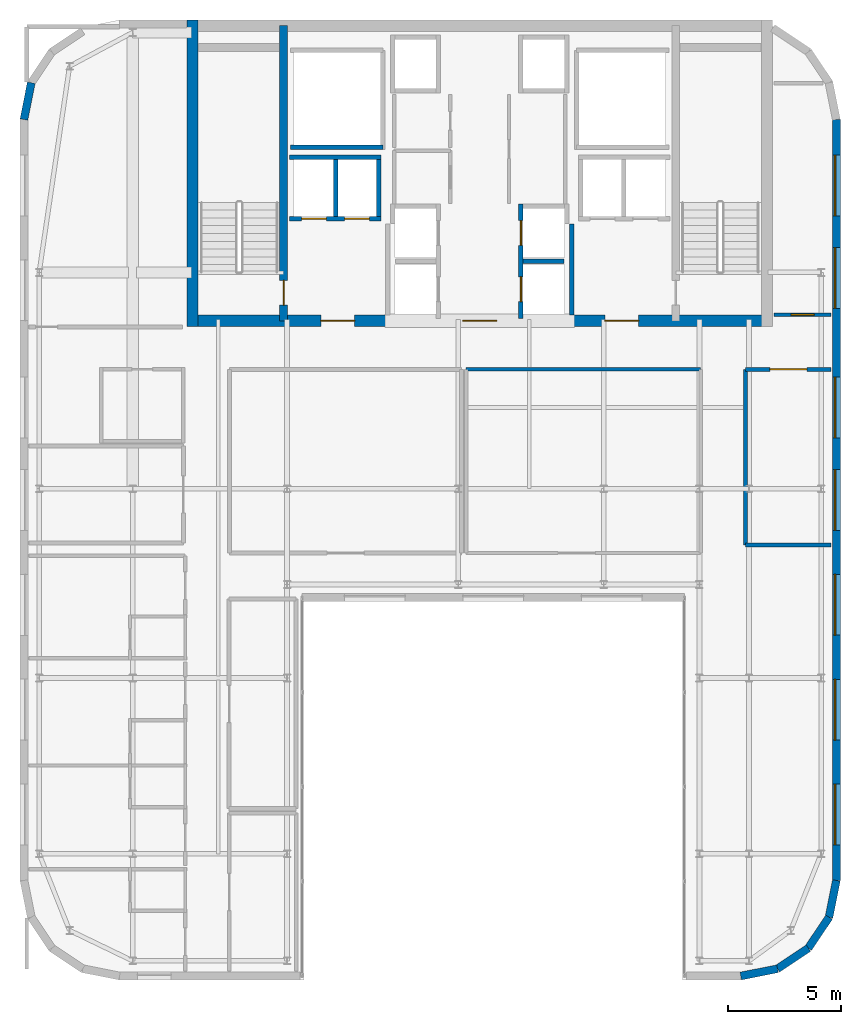
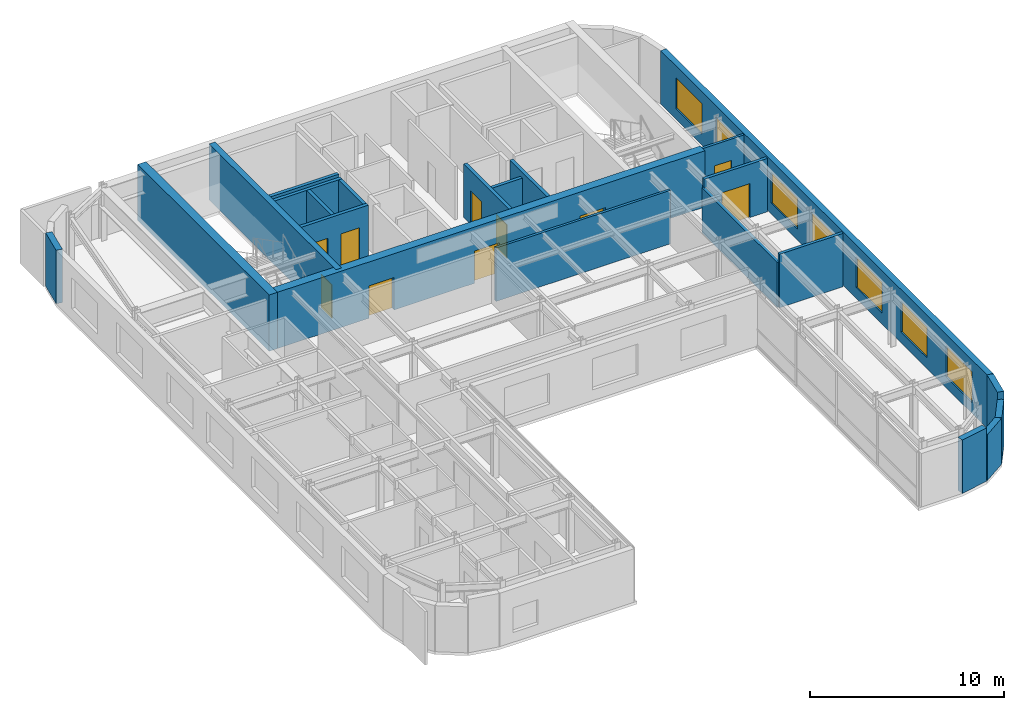
# One storey, part 15 of 18: 22 walls, 10 doors, 7 windows, 17 openings.
"""IFC4 building model written with IfcOpenShell, lengths in metres."""

from ifc_helpers import new_model, si_unit, direction, frame, frame_2d, origin, place, context, subcontext, project, spatial, rectangle, extrude, source, transform, mapped, material, layer, layer_set, type_object, type_shapes, element, fill, save


model = new_model("IFC4")

# Units and contexts
model_context = context("Model", 3, precision=1e-05, world=origin(), true_north=direction((0.0, 1.0)))
body_context = subcontext(model_context, "Body", "Model", "MODEL_VIEW")
ifc_project = project(units=[si_unit("LENGTHUNIT", "METRE"), si_unit("AREAUNIT", "SQUARE_METRE"), si_unit("VOLUMEUNIT", "CUBIC_METRE"), si_unit("PLANEANGLEUNIT", "RADIAN"), si_unit("MASSUNIT", "GRAM", prefix="KILO")], contexts=[model_context])

# Site, building, storey
site_placement = place(None, origin())
site = spatial("IfcSite", under=ifc_project, at=site_placement, CompositionType="ELEMENT")
building_placement = place(site_placement, origin())
building = spatial("IfcBuilding", under=site, at=building_placement, Name="Tolvann Quenvar Hotel", CompositionType="ELEMENT")
storey_placement = place(building_placement, frame((0.0, 0.0, 245.199951171875)))
storey = spatial("IfcBuildingStorey", under=building, at=storey_placement, Name="L65", CompositionType="ELEMENT", Elevation=245.199951171875)

# Wall, openings, doors
ifc_material_1 = material(Name="Concrete N50 (50 MPa)", Category="concrete")
ifc_layer_1 = layer(ifc_material_1, 0.5)
ifc_layer_set_1 = layer_set([ifc_layer_1], Name="Concrete N50 (50 MPa)")
wall_type_1 = type_object("IfcWallType", Name="WALL_CORE_500", PredefinedType="SHEAR", material=ifc_layer_set_1)
wall_1_placement = place(storey_placement, frame((10.0, 31.85009765625, 0.0), z_axis=(0.0, 0.0, 1.0), x_axis=(1.0, 0.0, 0.0)))
wall_1 = element("IfcWall", 1, at=wall_1_placement, inside=storey, type_object=wall_type_1, Name="Rear Core S Shear Wall (L65)", PredefinedType="SHEAR", context=body_context, shape_type="SweptSolid", body=[
    extrude(rectangle(XDim=26.0, YDim=0.5, at=frame_2d((13.0, 0.0))), origin(), (0.0, 0.0, 1.0), 3.550048828125),
])
opening_1_placement = place(wall_1_placement, frame((7.449951171875, 0.0, 0.0), z_axis=(0.0, 0.0, 1.0), x_axis=(-1.0, 0.0, 0.0)))
opening_1 = element("IfcOpeningElement", 2, at=opening_1_placement, cuts=wall_1, Name="Opening FD-60D", PredefinedType="OPENING", context=body_context, shape_type="SweptSolid", body=[
    extrude(rectangle(XDim=1.5, YDim=2.0400390625, at=frame_2d((0.75, 1.02001953125))), frame((0.0, 0.260009765625, 0.0), z_axis=(0.0, -1.0, 0.0), x_axis=(1.0, 0.0, 0.0)), (0.0, 0.0, 1.0), 0.52001953125),
])
opening_2_placement = place(wall_1_placement, frame((13.75, 0.0, 0.0), z_axis=(0.0, 0.0, 1.0), x_axis=(-1.0, 0.0, 0.0)))
opening_2 = element("IfcOpeningElement", 3, at=opening_2_placement, cuts=wall_1, Name="Opening FD-60D", PredefinedType="OPENING", context=body_context, shape_type="SweptSolid", body=[
    extrude(rectangle(XDim=1.5, YDim=2.0400390625, at=frame_2d((0.75, 1.02001953125))), frame((0.0, 0.260009765625, 0.0), z_axis=(0.0, -1.0, 0.0), x_axis=(1.0, 0.0, 0.0)), (0.0, 0.0, 1.0), 0.52001953125),
])
opening_3_placement = place(wall_1_placement, frame((20.050048828125, 0.0, 0.0), z_axis=(0.0, 0.0, 1.0), x_axis=(-1.0, 0.0, 0.0)))
opening_3 = element("IfcOpeningElement", 4, at=opening_3_placement, cuts=wall_1, Name="Opening FD-60D", PredefinedType="OPENING", context=body_context, shape_type="SweptSolid", body=[
    extrude(rectangle(XDim=1.5, YDim=2.0400390625, at=frame_2d((0.75, 1.02001953125))), frame((0.0, 0.260009765625, 0.0), z_axis=(0.0, -1.0, 0.0), x_axis=(1.0, 0.0, 0.0)), (0.0, 0.0, 1.0), 0.52001953125),
])
ifc_material_2 = material(Name="Solid-core American oak acoustic fire door leaf in steel frame", Category="steel")
door_type_1 = type_object("IfcDoorType", Name="DOOR_FIRE_LOBBY_1500", OperationType="NOTDEFINED", PredefinedType="DOOR", material=ifc_material_2)
shared_shape_1 = source(origin(), body_context, "Body", "SweptSolid", [
    extrude(rectangle(XDim=1.5, YDim=2.0400390625, at=frame_2d((0.75, 1.02001953125))), frame((0.0, 0.02490234375, 0.0), z_axis=(0.0, -1.0, 0.0), x_axis=(1.0, 0.0, 0.0)), (0.0, 0.0, 1.0), 0.050048828125),
])
type_shapes(door_type_1, [shared_shape_1])
door_1_placement = place(opening_1_placement, origin())
door_1 = element("IfcDoor", 5, at=door_1_placement, inside=storey, type_object=door_type_1, Name="Core Lobby Fire Door FFW (L65)", OperationType="DOUBLE_DOOR_SINGLE_SWING", OverallHeight=2.0400390625, OverallWidth=1.5, PredefinedType="DOOR", context=body_context, shape_type="MappedRepresentation", body=[
    mapped(shared_shape_1, transform((0.0, 0.0, 0.0), x_axis=(1.0, 0.0, 0.0), y_axis=(0.0, 1.0, 0.0), z_axis=(0.0, 0.0, 1.0), scale=1.0)),
])
fill(opening_1, door_1)
door_2_placement = place(opening_2_placement, origin())
door_2 = element("IfcDoor", 6, at=door_2_placement, inside=storey, type_object=door_type_1, Name="Core Lobby Fire Door CLOB (L65)", OperationType="DOUBLE_DOOR_SINGLE_SWING", OverallHeight=2.0400390625, OverallWidth=1.5, PredefinedType="DOOR", context=body_context, shape_type="MappedRepresentation", body=[
    mapped(shared_shape_1, transform((0.0, 0.0, 0.0), x_axis=(1.0, 0.0, 0.0), y_axis=(0.0, 1.0, 0.0), z_axis=(0.0, 0.0, 1.0), scale=1.0)),
])
fill(opening_2, door_2)
door_3_placement = place(opening_3_placement, origin())
door_3 = element("IfcDoor", 7, at=door_3_placement, inside=storey, type_object=door_type_1, Name="Core Lobby Fire Door FFE (L65)", OperationType="DOUBLE_DOOR_SINGLE_SWING", OverallHeight=2.0400390625, OverallWidth=1.5, PredefinedType="DOOR", context=body_context, shape_type="MappedRepresentation", body=[
    mapped(shared_shape_1, transform((0.0, 0.0, 0.0), x_axis=(1.0, 0.0, 0.0), y_axis=(0.0, 1.0, 0.0), z_axis=(0.0, 0.0, 1.0), scale=1.0)),
])
fill(opening_3, door_3)

# Wall
wall_2_placement = place(storey_placement, frame((10.25, 31.60009765625, 0.0), z_axis=(0.0, 0.0, 1.0), x_axis=(0.0, 1.0, 0.0)))
element("IfcWall", 8, at=wall_2_placement, inside=storey, type_object=wall_type_1, Name="Rear Core W Shear Wall (L65)", PredefinedType="SHEAR", context=body_context, shape_type="SweptSolid", body=[
    extrude(rectangle(XDim=13.599853515625, YDim=0.5, at=frame_2d((6.7998046875, 0.0))), origin(), (0.0, 0.0, 1.0), 3.550048828125),
])

# Wall, opening, door
ifc_material_3 = material(Name="Concrete S65 (65 MPa)", Category="concrete")
ifc_layer_2 = layer(ifc_material_3, 0.35009765625)
ifc_layer_set_2 = layer_set([ifc_layer_2], Name="Concrete S65 (65 MPa)")
wall_type_2 = type_object("IfcWallType", Name="WALL_CORE_INT_350", PredefinedType="SHEAR", material=ifc_layer_set_2)
wall_3_placement = place(storey_placement, frame((14.300048828125, 31.85009765625, 0.0), z_axis=(0.0, 0.0, 1.0), x_axis=(0.0, 1.0, 0.0)))
wall_3 = element("IfcWall", 9, at=wall_3_placement, inside=storey, type_object=wall_type_2, Name="Core Internal Web Shear Wall WEB-W (L65)", PredefinedType="SHEAR", context=body_context, shape_type="SweptSolid", body=[
    extrude(rectangle(XDim=13.099853515625, YDim=0.35009765625, at=frame_2d((6.5498046875, 0.0))), origin(), (0.0, 0.0, 1.0), 3.550048828125),
])
opening_4_placement = place(wall_3_placement, frame((0.699951171875, 0.0, 0.0)))
opening_4 = element("IfcOpeningElement", 10, at=opening_4_placement, cuts=wall_3, Name="Opening FD-120", PredefinedType="OPENING", context=body_context, shape_type="SweptSolid", body=[
    extrude(rectangle(XDim=1.10009765625, YDim=2.1201171875, at=frame_2d((0.550048828125, 1.06005859375))), frame((0.0, 0.18505859375, 0.0), z_axis=(0.0, -1.0, 0.0), x_axis=(1.0, 0.0, 0.0)), (0.0, 0.0, 1.0), 0.3701171875),
])
ifc_material_4 = material(Name="Pressed galvanised steel fire-rated door set", Category="steel")
door_type_2 = type_object("IfcDoorType", Name="DOOR_FIRE_STAIR_1100", OperationType="NOTDEFINED", PredefinedType="DOOR", material=ifc_material_4)
shared_shape_2 = source(origin(), body_context, "Body", "SweptSolid", [
    extrude(rectangle(XDim=1.10009765625, YDim=2.1201171875, at=frame_2d((0.550048828125, 1.06005859375))), frame((0.0, 0.02490234375, 0.0), z_axis=(0.0, -1.0, 0.0), x_axis=(1.0, 0.0, 0.0)), (0.0, 0.0, 1.0), 0.050048828125),
])
type_shapes(door_type_2, [shared_shape_2])
door_4_placement = place(opening_4_placement, origin())
door_4 = element("IfcDoor", 11, at=door_4_placement, inside=storey, type_object=door_type_2, Name="Exit Stair ST-C1 Fire Door (L65)", OperationType="SINGLE_SWING_LEFT", OverallHeight=2.1201171875, OverallWidth=1.10009765625, PredefinedType="DOOR", context=body_context, shape_type="MappedRepresentation", body=[
    mapped(shared_shape_2, transform((0.0, 0.0, 0.0), x_axis=(1.0, 0.0, 0.0), y_axis=(0.0, 1.0, 0.0), z_axis=(0.0, 0.0, 1.0), scale=1.0)),
])
fill(opening_4, door_4)

# Walls
ifc_material_5 = material(Name="Kiln-fired red and buff architectural clay brickwork and terracotta masonry", Category="masonry")
ifc_layer_3 = layer(ifc_material_5, 0.35009765625)
ifc_layer_set_3 = layer_set([ifc_layer_3], Name="Kiln-fired red and buff architectural clay brickwork and terracotta masonry")
wall_type_3 = type_object("IfcWallType", Name="WALL_EXT_BRICK_350", PredefinedType="SOLIDWALL", material=ifc_layer_set_3)
wall_4_placement = place(storey_placement, frame((34.582763671875, 2.77490234375, 0.0), z_axis=(0.0, 0.0, 1.0), x_axis=(0.980794424524, 0.195044345786, 0.0)))
element("IfcWall", 12, at=wall_4_placement, inside=storey, type_object=wall_type_3, Name="Exterior Chicago Brick Wall L65-E09", PredefinedType="SOLIDWALL", context=body_context, shape_type="SweptSolid", body=[
    extrude(rectangle(XDim=1.664794921875, YDim=0.35009765625, at=frame_2d((0.83251953125, 0.0))), origin(), (0.0, 0.0, 1.0), 3.3701171875),
])
for number, where, z_axis, x_axis, name in (
    (13, (36.215576171875, 3.099609375, 0.0), (0.0, 0.0, 1.0), (0.831434158098, 0.555623290322, 0.0), "Exterior Chicago Brick Wall L65-E10"),
    (14, (37.585205078125, 4.014892578125, 0.0), (0.0, 0.0, 1.0), (0.555520825599, 0.831502623162, 0.0), "Exterior Chicago Brick Wall L65-E11"),
):
    element("IfcWall", number, at=place(storey_placement, frame(where, z_axis=z_axis, x_axis=x_axis)), inside=storey, type_object=wall_type_3, Name=name, PredefinedType="SOLIDWALL", context=body_context, shape_type="SweptSolid", body=[
        extrude(rectangle(XDim=1.647216796875, YDim=0.35009765625, at=frame_2d((0.82373046875, 0.0))), origin(), (0.0, 0.0, 1.0), 2.900146484375),
    ])
wall_5_placement = place(storey_placement, frame((38.500244140625, 5.384521484375, 0.0), z_axis=(0.0, 0.0, 1.0), x_axis=(0.195072403631, 0.980788844421, 0.0)))
element("IfcWall", 15, at=wall_5_placement, inside=storey, type_object=wall_type_3, Name="Exterior Chicago Brick Wall L65-E12", PredefinedType="SOLIDWALL", context=body_context, shape_type="SweptSolid", body=[
    extrude(rectangle(XDim=1.66455078125, YDim=0.35009765625, at=frame_2d((0.832275390625, 0.0))), origin(), (0.0, 0.0, 1.0), 3.3701171875),
])

# Wall, openings, windows
wall_6_placement = place(storey_placement, frame((38.824951171875, 7.01708984375, 0.0), z_axis=(0.0, 0.0, 1.0), x_axis=(0.0, 1.0, 0.0)))
wall_6 = element("IfcWall", 16, at=wall_6_placement, inside=storey, type_object=wall_type_3, Name="Exterior Chicago Brick Wall L65-E13", PredefinedType="SOLIDWALL", context=body_context, shape_type="SweptSolid", body=[
    extrude(rectangle(XDim=33.765625, YDim=0.35009765625, at=frame_2d((16.8828125, 0.0))), origin(), (0.0, 0.0, 1.0), 3.3701171875),
])
opening_5_placement = place(wall_6_placement, frame((1.575927734375, 0.0, 0.679931640625)))
opening_5 = element("IfcOpeningElement", 17, at=opening_5_placement, cuts=wall_6, Name="Opening W-04", PredefinedType="OPENING", context=body_context, shape_type="SweptSolid", body=[
    extrude(rectangle(XDim=2.699951171875, YDim=1.949951171875, at=frame_2d((1.35009765625, 0.97509765625))), frame((0.0, 0.18505859375, 0.0), z_axis=(0.0, -1.0, 0.0), x_axis=(1.0, 0.0, 0.0)), (0.0, 0.0, 1.0), 0.3701171875),
])
opening_6_placement = place(wall_6_placement, frame((6.22802734375, 0.0, 0.679931640625)))
opening_6 = element("IfcOpeningElement", 18, at=opening_6_placement, cuts=wall_6, Name="Opening W-04", PredefinedType="OPENING", context=body_context, shape_type="SweptSolid", body=[
    extrude(rectangle(XDim=2.699951171875, YDim=1.949951171875, at=frame_2d((1.35009765625, 0.97509765625))), frame((0.0, 0.18505859375, 0.0), z_axis=(0.0, -1.0, 0.0), x_axis=(1.0, 0.0, 0.0)), (0.0, 0.0, 1.0), 0.3701171875),
])
opening_7_placement = place(wall_6_placement, frame((10.881103515625, 0.0, 0.679931640625)))
opening_7 = element("IfcOpeningElement", 19, at=opening_7_placement, cuts=wall_6, Name="Opening W-04", PredefinedType="OPENING", context=body_context, shape_type="SweptSolid", body=[
    extrude(rectangle(XDim=2.699951171875, YDim=1.949951171875, at=frame_2d((1.35009765625, 0.97509765625))), frame((0.0, 0.18505859375, 0.0), z_axis=(0.0, -1.0, 0.0), x_axis=(1.0, 0.0, 0.0)), (0.0, 0.0, 1.0), 0.3701171875),
])
opening_8_placement = place(wall_6_placement, frame((15.532958984375, 0.0, 0.679931640625)))
opening_8 = element("IfcOpeningElement", 20, at=opening_8_placement, cuts=wall_6, Name="Opening W-04", PredefinedType="OPENING", context=body_context, shape_type="SweptSolid", body=[
    extrude(rectangle(XDim=2.699951171875, YDim=1.949951171875, at=frame_2d((1.35009765625, 0.97509765625))), frame((0.0, 0.18505859375, 0.0), z_axis=(0.0, -1.0, 0.0), x_axis=(1.0, 0.0, 0.0)), (0.0, 0.0, 1.0), 0.3701171875),
])
opening_9_placement = place(wall_6_placement, frame((19.635009765625, 0.0, 0.679931640625)))
opening_9 = element("IfcOpeningElement", 21, at=opening_9_placement, cuts=wall_6, Name="Opening W-04", PredefinedType="OPENING", context=body_context, shape_type="SweptSolid", body=[
    extrude(rectangle(XDim=2.699951171875, YDim=1.949951171875, at=frame_2d((1.35009765625, 0.97509765625))), frame((0.0, 0.18505859375, 0.0), z_axis=(0.0, -1.0, 0.0), x_axis=(1.0, 0.0, 0.0)), (0.0, 0.0, 1.0), 0.3701171875),
])
opening_10_placement = place(wall_6_placement, frame((25.386962890625, 0.0, 0.679931640625)))
opening_10 = element("IfcOpeningElement", 22, at=opening_10_placement, cuts=wall_6, Name="Opening W-04", PredefinedType="OPENING", context=body_context, shape_type="SweptSolid", body=[
    extrude(rectangle(XDim=2.699951171875, YDim=1.949951171875, at=frame_2d((1.35009765625, 0.97509765625))), frame((0.0, 0.18505859375, 0.0), z_axis=(0.0, -1.0, 0.0), x_axis=(1.0, 0.0, 0.0)), (0.0, 0.0, 1.0), 0.3701171875),
])
opening_11_placement = place(wall_6_placement, frame((29.489013671875, 0.0, 0.679931640625)))
opening_11 = element("IfcOpeningElement", 23, at=opening_11_placement, cuts=wall_6, Name="Opening W-04", PredefinedType="OPENING", context=body_context, shape_type="SweptSolid", body=[
    extrude(rectangle(XDim=2.699951171875, YDim=1.949951171875, at=frame_2d((1.35009765625, 0.97509765625))), frame((0.0, 0.18505859375, 0.0), z_axis=(0.0, -1.0, 0.0), x_axis=(1.0, 0.0, 0.0)), (0.0, 0.0, 1.0), 0.3701171875),
])
ifc_material_6 = material(Name="Thermally broken bronze-anodised aluminium frame with double low-E glazing", Category="aluminium")
window_type = type_object("IfcWindowType", Name="WIN_STE_2700x2150", PartitioningType="TRIPLE_PANEL_HORIZONTAL", PredefinedType="WINDOW", material=ifc_material_6)
shared_shape_3 = source(origin(), body_context, "Body", "SweptSolid", [
    extrude(rectangle(XDim=2.699951171875, YDim=1.949951171875, at=frame_2d((1.35009765625, 0.97509765625))), frame((0.0, 0.090087890625, 0.0), z_axis=(0.0, -1.0, 0.0), x_axis=(1.0, 0.0, 0.0)), (0.0, 0.0, 1.0), 0.06005859375),
])
type_shapes(window_type, [shared_shape_3])
window_1_placement = place(opening_5_placement, origin())
window_1 = element("IfcWindow", 24, at=window_1_placement, inside=storey, type_object=window_type, Name="Chicago Window W-04 (EW-L65-E13-W01)", OverallHeight=1.949951171875, OverallWidth=2.699951171875, PartitioningType="TRIPLE_PANEL_HORIZONTAL", PredefinedType="WINDOW", context=body_context, shape_type="MappedRepresentation", body=[
    mapped(shared_shape_3, transform((0.0, 0.0, 0.0), x_axis=(1.0, 0.0, 0.0), y_axis=(0.0, 1.0, 0.0), z_axis=(0.0, 0.0, 1.0), scale=1.0)),
])
fill(opening_5, window_1)
window_2_placement = place(opening_6_placement, origin())
window_2 = element("IfcWindow", 25, at=window_2_placement, inside=storey, type_object=window_type, Name="Chicago Window W-04 (EW-L65-E13-W02)", OverallHeight=1.949951171875, OverallWidth=2.699951171875, PartitioningType="TRIPLE_PANEL_HORIZONTAL", PredefinedType="WINDOW", context=body_context, shape_type="MappedRepresentation", body=[
    mapped(shared_shape_3, transform((0.0, 0.0, 0.0), x_axis=(1.0, 0.0, 0.0), y_axis=(0.0, 1.0, 0.0), z_axis=(0.0, 0.0, 1.0), scale=1.0)),
])
fill(opening_6, window_2)
window_3_placement = place(opening_7_placement, origin())
window_3 = element("IfcWindow", 26, at=window_3_placement, inside=storey, type_object=window_type, Name="Chicago Window W-04 (EW-L65-E13-W03)", OverallHeight=1.949951171875, OverallWidth=2.699951171875, PartitioningType="TRIPLE_PANEL_HORIZONTAL", PredefinedType="WINDOW", context=body_context, shape_type="MappedRepresentation", body=[
    mapped(shared_shape_3, transform((0.0, 0.0, 0.0), x_axis=(1.0, 0.0, 0.0), y_axis=(0.0, 1.0, 0.0), z_axis=(0.0, 0.0, 1.0), scale=1.0)),
])
fill(opening_7, window_3)
window_4_placement = place(opening_8_placement, origin())
window_4 = element("IfcWindow", 27, at=window_4_placement, inside=storey, type_object=window_type, Name="Chicago Window W-04 (EW-L65-E13-W04)", OverallHeight=1.949951171875, OverallWidth=2.699951171875, PartitioningType="TRIPLE_PANEL_HORIZONTAL", PredefinedType="WINDOW", context=body_context, shape_type="MappedRepresentation", body=[
    mapped(shared_shape_3, transform((0.0, 0.0, 0.0), x_axis=(1.0, 0.0, 0.0), y_axis=(0.0, 1.0, 0.0), z_axis=(0.0, 0.0, 1.0), scale=1.0)),
])
fill(opening_8, window_4)
window_5_placement = place(opening_9_placement, origin())
window_5 = element("IfcWindow", 28, at=window_5_placement, inside=storey, type_object=window_type, Name="Chicago Window W-04 (EW-L65-E13-W05)", OverallHeight=1.949951171875, OverallWidth=2.699951171875, PartitioningType="TRIPLE_PANEL_HORIZONTAL", PredefinedType="WINDOW", context=body_context, shape_type="MappedRepresentation", body=[
    mapped(shared_shape_3, transform((0.0, 0.0, 0.0), x_axis=(1.0, 0.0, 0.0), y_axis=(0.0, 1.0, 0.0), z_axis=(0.0, 0.0, 1.0), scale=1.0)),
])
fill(opening_9, window_5)
window_6_placement = place(opening_10_placement, origin())
window_6 = element("IfcWindow", 29, at=window_6_placement, inside=storey, type_object=window_type, Name="Chicago Window W-04 (EW-L65-E13-W06)", OverallHeight=1.949951171875, OverallWidth=2.699951171875, PartitioningType="TRIPLE_PANEL_HORIZONTAL", PredefinedType="WINDOW", context=body_context, shape_type="MappedRepresentation", body=[
    mapped(shared_shape_3, transform((0.0, 0.0, 0.0), x_axis=(1.0, 0.0, 0.0), y_axis=(0.0, 1.0, 0.0), z_axis=(0.0, 0.0, 1.0), scale=1.0)),
])
fill(opening_10, window_6)
window_7_placement = place(opening_11_placement, origin())
window_7 = element("IfcWindow", 30, at=window_7_placement, inside=storey, type_object=window_type, Name="Chicago Window W-04 (EW-L65-E13-W07)", OverallHeight=1.949951171875, OverallWidth=2.699951171875, PartitioningType="TRIPLE_PANEL_HORIZONTAL", PredefinedType="WINDOW", context=body_context, shape_type="MappedRepresentation", body=[
    mapped(shared_shape_3, transform((0.0, 0.0, 0.0), x_axis=(1.0, 0.0, 0.0), y_axis=(0.0, 1.0, 0.0), z_axis=(0.0, 0.0, 1.0), scale=1.0)),
])
fill(opening_11, window_7)

# Walls
wall_7_placement = place(storey_placement, frame((3.099609375, 42.41552734375, 0.0), z_axis=(0.0, 0.0, 1.0), x_axis=(-0.195044345786, -0.980794424524, 0.0)))
element("IfcWall", 31, at=wall_7_placement, inside=storey, type_object=wall_type_3, Name="Exterior Chicago Brick Wall L65-E22", PredefinedType="SOLIDWALL", context=body_context, shape_type="SweptSolid", body=[
    extrude(rectangle(XDim=1.664794921875, YDim=0.35009765625, at=frame_2d((0.83251953125, 0.0))), origin(), (0.0, 0.0, 1.0), 3.3701171875),
])
ifc_material_7 = material(Name="Acoustic twin-stud fire-rated gypsum plasterboard partition")
ifc_layer_4 = layer(ifc_material_7, 0.179931640625)
ifc_layer_set_4 = layer_set([ifc_layer_4], Name="Acoustic twin-stud fire-rated gypsum plasterboard partition")
wall_type_4 = type_object("IfcWallType", Name="WALL_PART_ACOUSTIC_180", PredefinedType="PARTITIONING", material=ifc_layer_set_4)
wall_8_placement = place(storey_placement, frame((34.800048828125, 21.89990234375, 0.0), z_axis=(0.0, 0.0, 1.0), x_axis=(1.0, 0.0, 0.0)))
element("IfcWall", 32, at=wall_8_placement, inside=storey, type_object=wall_type_4, Name="Interior Partition PT-SPC-L65-PNE1-S", PredefinedType="PARTITIONING", context=body_context, shape_type="SweptSolid", body=[
    extrude(rectangle(XDim=3.794921875, YDim=0.179931640625, at=frame_2d((1.8974609375, 0.0))), origin(), (0.0, 0.0, 1.0), 3.3701171875),
])

# Wall, opening, door
wall_9_placement = place(storey_placement, frame((34.800048828125, 29.699951171875, 0.0), z_axis=(0.0, 0.0, 1.0), x_axis=(1.0, 0.0, 0.0)))
wall_9 = element("IfcWall", 33, at=wall_9_placement, inside=storey, type_object=wall_type_4, Name="Interior Partition PT-SPC-L65-PNE1-N", PredefinedType="PARTITIONING", context=body_context, shape_type="SweptSolid", body=[
    extrude(rectangle(XDim=3.794921875, YDim=0.179931640625, at=frame_2d((1.8974609375, 0.0))), origin(), (0.0, 0.0, 1.0), 3.3701171875),
])
opening_12_placement = place(wall_9_placement, frame((1.072509765625, 0.0, 0.0)))
opening_12 = element("IfcOpeningElement", 34, at=opening_12_placement, cuts=wall_9, Name="Opening AD-01", PredefinedType="OPENING", context=body_context, shape_type="SweptSolid", body=[
    extrude(rectangle(XDim=1.64990234375, YDim=2.14990234375, at=frame_2d((0.824951171875, 1.074951171875))), frame((0.0, 0.10009765625, 0.0), z_axis=(0.0, -1.0, 0.0), x_axis=(1.0, 0.0, 0.0)), (0.0, 0.0, 1.0), 0.199951171875),
])
door_type_3 = type_object("IfcDoorType", Name="DOOR_SALON_1650", OperationType="NOTDEFINED", PredefinedType="DOOR", material=ifc_material_2)
shared_shape_4 = source(origin(), body_context, "Body", "SweptSolid", [
    extrude(rectangle(XDim=1.64990234375, YDim=2.14990234375, at=frame_2d((0.824951171875, 1.074951171875))), frame((0.0, 0.02490234375, 0.0), z_axis=(0.0, -1.0, 0.0), x_axis=(1.0, 0.0, 0.0)), (0.0, 0.0, 1.0), 0.050048828125),
])
type_shapes(door_type_3, [shared_shape_4])
door_5_placement = place(opening_12_placement, origin())
door_5 = element("IfcDoor", 35, at=door_5_placement, inside=storey, type_object=door_type_3, Name="Interior Door DOOR-SPC-L65-PNE1", OperationType="DOUBLE_DOOR_SINGLE_SWING", OverallHeight=2.14990234375, OverallWidth=1.64990234375, PredefinedType="DOOR", context=body_context, shape_type="MappedRepresentation", body=[
    mapped(shared_shape_4, transform((0.0, 0.0, 0.0), x_axis=(1.0, 0.0, 0.0), y_axis=(0.0, 1.0, 0.0), z_axis=(0.0, 0.0, 1.0), scale=1.0)),
])
fill(opening_12, door_5)

# Walls
wall_10_placement = place(storey_placement, frame((34.800048828125, 21.89990234375, 0.0), z_axis=(0.0, 0.0, 1.0), x_axis=(0.0, 1.0, 0.0)))
element("IfcWall", 36, at=wall_10_placement, inside=storey, type_object=wall_type_4, Name="Interior Partition PT-SPC-L65-PNE1-W", PredefinedType="PARTITIONING", context=body_context, shape_type="SweptSolid", body=[
    extrude(rectangle(XDim=7.800048828125, YDim=0.179931640625, at=frame_2d((3.89990234375, 0.0))), origin(), (0.0, 0.0, 1.0), 2.8271484375),
])
ifc_layer_5 = layer(ifc_material_7, 0.14990234375)
ifc_layer_set_5 = layer_set([ifc_layer_5], Name="Acoustic twin-stud fire-rated gypsum plasterboard partition")
wall_type_5 = type_object("IfcWallType", Name="WALL_PART_SUITE_150", PredefinedType="PARTITIONING", material=ifc_layer_set_5)
wall_11_placement = place(storey_placement, frame((22.39990234375, 29.699951171875, 0.0), z_axis=(0.0, 0.0, 1.0), x_axis=(1.0, 0.0, 0.0)))
element("IfcWall", 37, at=wall_11_placement, inside=storey, type_object=wall_type_5, Name="Interior Partition PT-SPC-L65-PCNTRE-N", PredefinedType="PARTITIONING", context=body_context, shape_type="SweptSolid", body=[
    extrude(rectangle(XDim=10.400146484375, YDim=0.14990234375, at=frame_2d((5.2001953125, 0.0))), origin(), (0.0, 0.0, 1.0), 3.3701171875),
])

# Wall, opening, door
wall_12_placement = place(storey_placement, frame((36.054931640625, 32.1201171875, 0.0), z_axis=(0.0, 0.0, 1.0), x_axis=(1.0, 0.0, 0.0)))
wall_12 = element("IfcWall", 38, at=wall_12_placement, inside=storey, type_object=wall_type_5, Name="Interior Partition PT-SPC-L65-RECPL-P-S", PredefinedType="PARTITIONING", context=body_context, shape_type="SweptSolid", body=[
    extrude(rectangle(XDim=2.5400390625, YDim=0.14990234375, at=frame_2d((1.27001953125, 0.0))), origin(), (0.0, 0.0, 1.0), 3.3701171875),
])
opening_13_placement = place(wall_12_placement, frame((0.760009765625, 0.0, 0.0)))
opening_13 = element("IfcOpeningElement", 39, at=opening_13_placement, cuts=wall_12, Name="Opening HD-01", PredefinedType="OPENING", context=body_context, shape_type="SweptSolid", body=[
    extrude(rectangle(XDim=1.02001953125, YDim=2.030029296875, at=frame_2d((0.510009765625, 1.01513671875))), frame((0.0, 0.0849609375, 0.0), z_axis=(0.0, -1.0, 0.0), x_axis=(1.0, 0.0, 0.0)), (0.0, 0.0, 1.0), 0.169921875),
])
door_type_4 = type_object("IfcDoorType", Name="DOOR_BOH_1020", OperationType="NOTDEFINED", PredefinedType="DOOR", material=ifc_material_4)
shared_shape_5 = source(origin(), body_context, "Body", "SweptSolid", [
    extrude(rectangle(XDim=1.02001953125, YDim=2.030029296875, at=frame_2d((0.510009765625, 1.01513671875))), frame((0.0, 0.02490234375, 0.0), z_axis=(0.0, -1.0, 0.0), x_axis=(1.0, 0.0, 0.0)), (0.0, 0.0, 1.0), 0.050048828125),
])
type_shapes(door_type_4, [shared_shape_5])
door_6_placement = place(opening_13_placement, origin())
door_6 = element("IfcDoor", 40, at=door_6_placement, inside=storey, type_object=door_type_4, Name="Interior Door DOOR-SPC-L65-RECPL-P", OperationType="SINGLE_SWING_RIGHT", OverallHeight=2.030029296875, OverallWidth=1.02001953125, PredefinedType="DOOR", context=body_context, shape_type="MappedRepresentation", body=[
    mapped(shared_shape_5, transform((0.0, 0.0, 0.0), x_axis=(1.0, 0.0, 0.0), y_axis=(0.0, 1.0, 0.0), z_axis=(0.0, 0.0, 1.0), scale=1.0)),
])
fill(opening_13, door_6)

# Walls
ifc_material_8 = material(Name="Concrete N40 (40 MPa)", Category="concrete")
ifc_layer_6 = layer(ifc_material_8, 0.199951171875)
ifc_layer_set_6 = layer_set([ifc_layer_6], Name="Concrete N40 (40 MPa)")
wall_type_6 = type_object("IfcWallType", Name="WALL_SHAFT_200", PredefinedType="SOLIDWALL", material=ifc_layer_set_6)
wall_13_placement = place(storey_placement, frame((14.60009765625, 39.550048828125, 0.0), z_axis=(0.0, 0.0, 1.0), x_axis=(1.0, 0.0, 0.0)))
element("IfcWall", 41, at=wall_13_placement, inside=storey, type_object=wall_type_6, Name="Service Riser W Shaft Wall S (L65)", PredefinedType="SOLIDWALL", context=body_context, shape_type="SweptSolid", body=[
    extrude(rectangle(XDim=4.099853515625, YDim=0.199951171875, at=frame_2d((2.0498046875, 0.0))), origin(), (0.0, 0.0, 1.0), 3.3701171875),
])
wall_14_placement = place(storey_placement, frame((27.080078125, 32.10400390625, 0.0), z_axis=(0.0, 0.0, 1.0), x_axis=(0.0, 1.0, 0.0)))
element("IfcWall", 42, at=wall_14_placement, inside=storey, type_object=wall_type_6, Name="Firefighting Lobby E Inner Fire Wall (L65)", PredefinedType="SOLIDWALL", context=body_context, shape_type="SweptSolid", body=[
    extrude(rectangle(XDim=4.0458984375, YDim=0.199951171875, at=frame_2d((2.02294921875, 0.0))), origin(), (0.0, 0.0, 1.0), 3.3701171875),
])

# Wall, openings, doors
wall_15_placement = place(storey_placement, frame((14.550048828125, 36.3798828125, 0.0), z_axis=(0.0, 0.0, 1.0), x_axis=(1.0, 0.0, 0.0)))
wall_15 = element("IfcWall", 43, at=wall_15_placement, inside=storey, type_object=wall_type_6, Name="Lift Bank SWC1 Hoistway Front Wall (L65)", PredefinedType="SOLIDWALL", context=body_context, shape_type="SweptSolid", body=[
    extrude(rectangle(XDim=4.074951171875, YDim=0.199951171875, at=frame_2d((2.03759765625, 0.0))), origin(), (0.0, 0.0, 1.0), 3.3701171875),
])
opening_14_placement = place(wall_15_placement, frame((0.550048828125, 0.0, 0.0)))
opening_14 = element("IfcOpeningElement", 44, at=opening_14_placement, cuts=wall_15, Name="Opening LD-01", PredefinedType="OPENING", context=body_context, shape_type="SweptSolid", body=[
    extrude(rectangle(XDim=1.10009765625, YDim=2.1201171875, at=frame_2d((0.550048828125, 1.06005859375))), frame((0.0, 0.10986328125, 0.0), z_axis=(0.0, -1.0, 0.0), x_axis=(1.0, 0.0, 0.0)), (0.0, 0.0, 1.0), 0.219970703125),
])
opening_15_placement = place(wall_15_placement, frame((2.449951171875, 0.0, 0.0)))
opening_15 = element("IfcOpeningElement", 45, at=opening_15_placement, cuts=wall_15, Name="Opening LD-01", PredefinedType="OPENING", context=body_context, shape_type="SweptSolid", body=[
    extrude(rectangle(XDim=1.10009765625, YDim=2.1201171875, at=frame_2d((0.550048828125, 1.06005859375))), frame((0.0, 0.10986328125, 0.0), z_axis=(0.0, -1.0, 0.0), x_axis=(1.0, 0.0, 0.0)), (0.0, 0.0, 1.0), 0.219970703125),
])
ifc_material_9 = material(Name="Brushed 316 stainless steel automatic sliding lift landing door", Category="steel")
door_type_5 = type_object("IfcDoorType", Name="DOOR_LIFT_SLIDE_1100", OperationType="NOTDEFINED", PredefinedType="DOOR", material=ifc_material_9)
shared_shape_6 = source(origin(), body_context, "Body", "SweptSolid", [
    extrude(rectangle(XDim=1.10009765625, YDim=2.1201171875, at=frame_2d((0.550048828125, 1.06005859375))), frame((0.0, 0.02490234375, 0.0), z_axis=(0.0, -1.0, 0.0), x_axis=(1.0, 0.0, 0.0)), (0.0, 0.0, 1.0), 0.050048828125),
])
type_shapes(door_type_5, [shared_shape_6])
door_7_placement = place(opening_14_placement, origin())
door_7 = element("IfcDoor", 46, at=door_7_placement, inside=storey, type_object=door_type_5, Name="Lift FF-1 Sliding Landing Door (L65)", OperationType="SLIDING_TO_LEFT", OverallHeight=2.1201171875, OverallWidth=1.10009765625, PredefinedType="DOOR", context=body_context, shape_type="MappedRepresentation", body=[
    mapped(shared_shape_6, transform((0.0, 0.0, 0.0), x_axis=(1.0, 0.0, 0.0), y_axis=(0.0, 1.0, 0.0), z_axis=(0.0, 0.0, 1.0), scale=1.0)),
])
fill(opening_14, door_7)
door_8_placement = place(opening_15_placement, origin())
door_8 = element("IfcDoor", 47, at=door_8_placement, inside=storey, type_object=door_type_5, Name="Lift SV-1 Sliding Landing Door (L65)", OperationType="SLIDING_TO_RIGHT", OverallHeight=2.1201171875, OverallWidth=1.10009765625, PredefinedType="DOOR", context=body_context, shape_type="MappedRepresentation", body=[
    mapped(shared_shape_6, transform((0.0, 0.0, 0.0), x_axis=(1.0, 0.0, 0.0), y_axis=(0.0, 1.0, 0.0), z_axis=(0.0, 0.0, 1.0), scale=1.0)),
])
fill(opening_15, door_8)

# Walls
wall_16_placement = place(storey_placement, frame((14.550048828125, 39.1201171875, 0.0), z_axis=(0.0, 0.0, 1.0), x_axis=(1.0, 0.0, 0.0)))
element("IfcWall", 48, at=wall_16_placement, inside=storey, type_object=wall_type_6, Name="Lift Bank SWC1 Hoistway Rear Wall (L65)", PredefinedType="SOLIDWALL", context=body_context, shape_type="SweptSolid", body=[
    extrude(rectangle(XDim=4.074951171875, YDim=0.199951171875, at=frame_2d((2.03759765625, 0.0))), origin(), (0.0, 0.0, 1.0), 3.3701171875),
])
for number, where, z_axis, x_axis, name in (
    (49, (18.52490234375, 36.47998046875, 0.0), (0.0, 0.0, 1.0), (0.0, 1.0, 0.0), "Lift Bank SWC1 Hoistway Cheek Wall 2 (L65)"),
    (50, (16.612548828125, 36.47998046875, 0.0), (0.0, 0.0, 1.0), (0.0, 1.0, 0.0), "Lift Bank SWC1 Divider Wall 1 (L65)"),
):
    element("IfcWall", number, at=place(storey_placement, frame(where, z_axis=z_axis, x_axis=x_axis)), inside=storey, type_object=wall_type_6, Name=name, PredefinedType="SOLIDWALL", context=body_context, shape_type="SweptSolid", body=[
        extrude(rectangle(XDim=2.5400390625, YDim=0.199951171875, at=frame_2d((1.27001953125, 0.0))), origin(), (0.0, 0.0, 1.0), 3.3701171875),
    ])

# Wall, openings, doors
wall_17_placement = place(storey_placement, frame((24.830078125, 31.9599609375, 0.0), z_axis=(0.0, 0.0, 1.0), x_axis=(0.0, 1.0, 0.0)))
wall_17 = element("IfcWall", 51, at=wall_17_placement, inside=storey, type_object=wall_type_6, Name="Lift Bank W24.9C1 Hoistway Front Wall (L65)", PredefinedType="SOLIDWALL", context=body_context, shape_type="SweptSolid", body=[
    extrude(rectangle(XDim=5.080078125, YDim=0.199951171875, at=frame_2d((2.5400390625, 0.0))), origin(), (0.0, 0.0, 1.0), 3.3701171875),
])
opening_16_placement = place(wall_17_placement, frame((0.739990234375, 0.0, 0.0)))
opening_16 = element("IfcOpeningElement", 52, at=opening_16_placement, cuts=wall_17, Name="Opening LD-01", PredefinedType="OPENING", context=body_context, shape_type="SweptSolid", body=[
    extrude(rectangle(XDim=1.10009765625, YDim=2.1201171875, at=frame_2d((0.550048828125, 1.06005859375))), frame((0.0, 0.10986328125, 0.0), z_axis=(0.0, -1.0, 0.0), x_axis=(1.0, 0.0, 0.0)), (0.0, 0.0, 1.0), 0.219970703125),
])
opening_17_placement = place(wall_17_placement, frame((3.239990234375, 0.0, 0.0)))
opening_17 = element("IfcOpeningElement", 53, at=opening_17_placement, cuts=wall_17, Name="Opening LD-01", PredefinedType="OPENING", context=body_context, shape_type="SweptSolid", body=[
    extrude(rectangle(XDim=1.10009765625, YDim=2.1201171875, at=frame_2d((0.550048828125, 1.06005859375))), frame((0.0, 0.10986328125, 0.0), z_axis=(0.0, -1.0, 0.0), x_axis=(1.0, 0.0, 0.0)), (0.0, 0.0, 1.0), 0.219970703125),
])
door_9_placement = place(opening_16_placement, origin())
door_9 = element("IfcDoor", 54, at=door_9_placement, inside=storey, type_object=door_type_5, Name="Lift PH-3 Sliding Landing Door (L65)", OperationType="SLIDING_TO_LEFT", OverallHeight=2.1201171875, OverallWidth=1.10009765625, PredefinedType="DOOR", context=body_context, shape_type="MappedRepresentation", body=[
    mapped(shared_shape_6, transform((0.0, 0.0, 0.0), x_axis=(1.0, 0.0, 0.0), y_axis=(0.0, 1.0, 0.0), z_axis=(0.0, 0.0, 1.0), scale=1.0)),
])
fill(opening_16, door_9)
door_10_placement = place(opening_17_placement, origin())
door_10 = element("IfcDoor", 55, at=door_10_placement, inside=storey, type_object=door_type_5, Name="Lift PH-4 Sliding Landing Door (L65)", OperationType="SLIDING_TO_RIGHT", OverallHeight=2.1201171875, OverallWidth=1.10009765625, PredefinedType="DOOR", context=body_context, shape_type="MappedRepresentation", body=[
    mapped(shared_shape_6, transform((0.0, 0.0, 0.0), x_axis=(1.0, 0.0, 0.0), y_axis=(0.0, 1.0, 0.0), z_axis=(0.0, 0.0, 1.0), scale=1.0)),
])
fill(opening_17, door_10)

# Wall
wall_18_placement = place(storey_placement, frame((24.929931640625, 34.5, 0.0), z_axis=(0.0, 0.0, 1.0), x_axis=(1.0, 0.0, 0.0)))
element("IfcWall", 56, at=wall_18_placement, inside=storey, type_object=wall_type_6, Name="Lift Bank W24.9C1 Divider Wall 1 (L65)", PredefinedType="SOLIDWALL", context=body_context, shape_type="SweptSolid", body=[
    extrude(rectangle(XDim=1.800048828125, YDim=0.199951171875, at=frame_2d((0.89990234375, 0.0))), origin(), (0.0, 0.0, 1.0), 3.3701171875),
])

save(model, "model.ifc")
